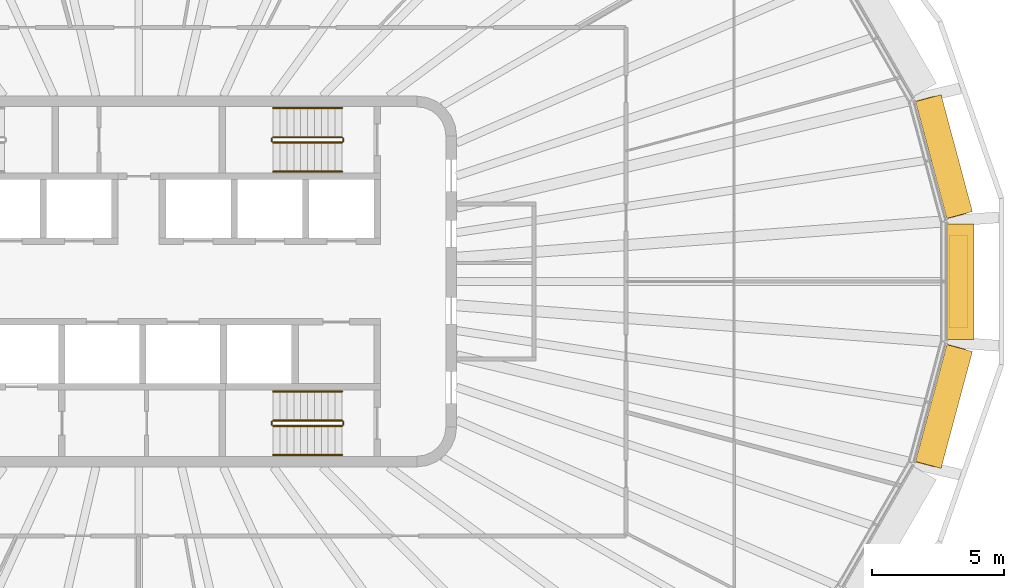
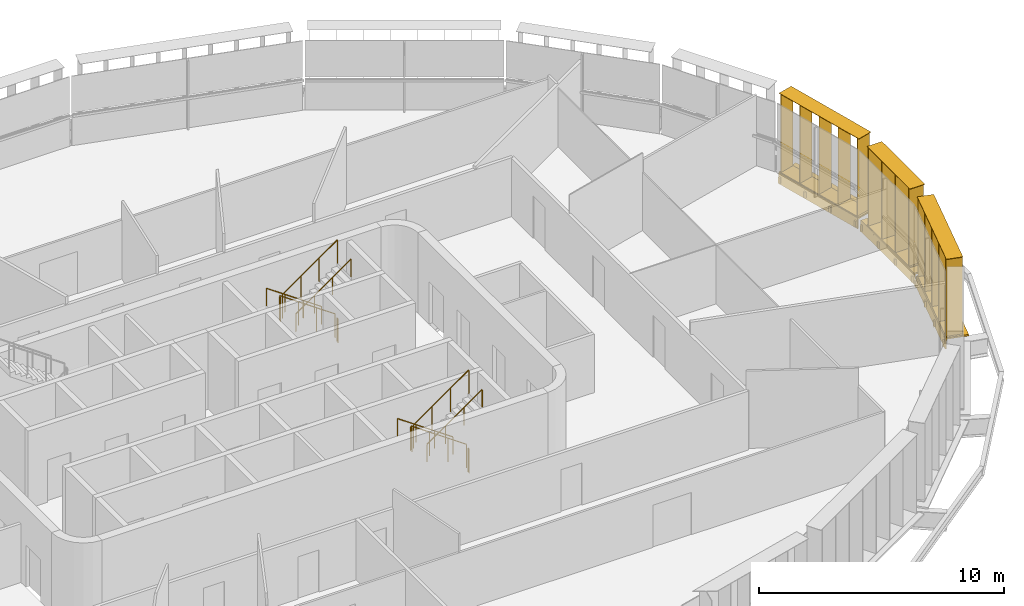
# One storey, part 19 of 20: 12 railings, 6 shading devices.
"""IFC4 building model written with IfcOpenShell, lengths in metres."""

from ifc_helpers import new_model, si_unit, direction, frame, origin, origin_2d, place, context, subcontext, project, spatial, rectangle, circle, extrude, material, type_object, element, save


model = new_model("IFC4")

# Units and contexts
model_context = context("Model", 3, precision=1e-05, world=origin(), true_north=direction((0.0, 1.0)))
body_context = subcontext(model_context, "Body", "Model", "MODEL_VIEW")
ifc_project = project(units=[si_unit("LENGTHUNIT", "METRE"), si_unit("AREAUNIT", "SQUARE_METRE"), si_unit("VOLUMEUNIT", "CUBIC_METRE"), si_unit("PLANEANGLEUNIT", "RADIAN"), si_unit("MASSUNIT", "GRAM", prefix="KILO")], contexts=[model_context])

# Site, building, storey
site_placement = place(None, origin())
site = spatial("IfcSite", under=ifc_project, at=site_placement, CompositionType="ELEMENT")
building_placement = place(site_placement, origin())
building = spatial("IfcBuilding", under=site, at=building_placement, Name="Sahrelin Media Tower", CompositionType="ELEMENT")
storey_placement = place(building_placement, frame((0.0, 0.0, 225.60009765625)))
storey = spatial("IfcBuildingStorey", under=building, at=storey_placement, Name="L48", CompositionType="ELEMENT", Elevation=225.60009765625)

# Shading devices
ifc_material_1 = material(Name="Champagne anodised aluminium 6063-T6", Category="aluminium")
shading_device_type_1 = type_object("IfcShadingDeviceType", Name="Fin cassette", PredefinedType="USERDEFINED", material=ifc_material_1)
placement_1 = place(storey_placement, frame((30.5185546875, 0.0, 0.0), z_axis=(0.0, 0.0, 1.0), x_axis=(0.0, -1.0, 0.0)))
element("IfcShadingDevice", 1, at=placement_1, inside=storey, type_object=shading_device_type_1, Name="L48:FIN:L48-00", ObjectType="FIN", PredefinedType="USERDEFINED", context=body_context, shape_type="SweptSolid", body=[
    extrude(rectangle(XDim=3.5, YDim=0.699951171875, at=origin_2d()), frame((0.0, 0.419921875, 0.0)), (0.0, 0.0, 1.0), 0.02001953125),
    extrude(rectangle(XDim=3.5, YDim=0.699951171875, at=origin_2d()), frame((0.0, 0.419921875, 3.89990234375)), (0.0, 0.0, 1.0), 0.02001953125),
    extrude(rectangle(XDim=0.02001953125, YDim=0.699951171875, at=origin_2d()), frame((-1.64990234375, 0.419921875, 0.010009765625), z_axis=(0.0, 0.0, 1.0), x_axis=(1.0, 0.0, 0.0)), (0.0, 0.0, 1.0), 3.89990234375),
    extrude(rectangle(XDim=0.02001953125, YDim=0.699951171875, at=origin_2d()), frame((-0.550048828125, 0.419921875, 0.010009765625), z_axis=(0.0, 0.0, 1.0), x_axis=(1.0, 0.0, 0.0)), (0.0, 0.0, 1.0), 3.89990234375),
    extrude(rectangle(XDim=0.02001953125, YDim=0.699951171875, at=origin_2d()), frame((0.550048828125, 0.419921875, 0.010009765625), z_axis=(0.0, 0.0, 1.0), x_axis=(1.0, 0.0, 0.0)), (0.0, 0.0, 1.0), 3.89990234375),
    extrude(rectangle(XDim=0.02001953125, YDim=0.699951171875, at=origin_2d()), frame((1.64990234375, 0.419921875, 0.010009765625), z_axis=(0.0, 0.0, 1.0), x_axis=(1.0, 0.0, 0.0)), (0.0, 0.0, 1.0), 3.89990234375),
])
placement_2 = place(storey_placement, frame((29.901611328125, 4.5830078125, 0.0), z_axis=(0.0, 0.0, 1.0), x_axis=(0.258807731996, -0.965928857556, 0.0)))
element("IfcShadingDevice", 2, at=placement_2, inside=storey, type_object=shading_device_type_1, Name="L48:FIN:L48-01", ObjectType="FIN", PredefinedType="USERDEFINED", context=body_context, shape_type="SweptSolid", body=[
    extrude(rectangle(XDim=4.60009765625, YDim=0.699951171875, at=origin_2d()), frame((0.0, 0.419921875, 0.0)), (0.0, 0.0, 1.0), 0.02001953125),
    extrude(rectangle(XDim=4.60009765625, YDim=0.699951171875, at=origin_2d()), frame((0.0, 0.419921875, 3.89990234375)), (0.0, 0.0, 1.0), 0.02001953125),
    extrude(rectangle(XDim=0.02001953125, YDim=0.699951171875, at=origin_2d()), frame((-2.199951171875, 0.419921875, 0.010009765625), z_axis=(0.0, 0.0, 1.0), x_axis=(1.0, 0.0, 0.0)), (0.0, 0.0, 1.0), 3.89990234375),
    extrude(rectangle(XDim=0.02001953125, YDim=0.699951171875, at=origin_2d()), frame((-1.10009765625, 0.419921875, 0.010009765625), z_axis=(0.0, 0.0, 1.0), x_axis=(1.0, 0.0, 0.0)), (0.0, 0.0, 1.0), 3.89990234375),
    extrude(rectangle(XDim=0.02001953125, YDim=0.699951171875, at=origin_2d()), frame((0.0, 0.419921875, 0.010009765625), z_axis=(0.0, 0.0, 1.0), x_axis=(1.0, 0.0, 0.0)), (0.0, 0.0, 1.0), 3.89990234375),
    extrude(rectangle(XDim=0.02001953125, YDim=0.699951171875, at=origin_2d()), frame((1.10009765625, 0.419921875, 0.010009765625), z_axis=(0.0, 0.0, 1.0), x_axis=(1.0, 0.0, 0.0)), (0.0, 0.0, 1.0), 3.89990234375),
    extrude(rectangle(XDim=0.02001953125, YDim=0.699951171875, at=origin_2d()), frame((2.199951171875, 0.419921875, 0.010009765625), z_axis=(0.0, 0.0, 1.0), x_axis=(1.0, 0.0, 0.0)), (0.0, 0.0, 1.0), 3.89990234375),
])
placement_3 = place(storey_placement, frame((29.901611328125, -4.5830078125, 0.0), z_axis=(0.0, 0.0, 1.0), x_axis=(-0.258807731996, -0.965928857556, 0.0)))
element("IfcShadingDevice", 3, at=placement_3, inside=storey, type_object=shading_device_type_1, Name="L48:FIN:L48-23", ObjectType="FIN", PredefinedType="USERDEFINED", context=body_context, shape_type="SweptSolid", body=[
    extrude(rectangle(XDim=4.60009765625, YDim=0.699951171875, at=origin_2d()), frame((0.0, 0.419921875, 0.0)), (0.0, 0.0, 1.0), 0.02001953125),
    extrude(rectangle(XDim=4.60009765625, YDim=0.699951171875, at=origin_2d()), frame((0.0, 0.419921875, 3.89990234375)), (0.0, 0.0, 1.0), 0.02001953125),
    extrude(rectangle(XDim=0.02001953125, YDim=0.699951171875, at=origin_2d()), frame((-2.199951171875, 0.419921875, 0.010009765625), z_axis=(0.0, 0.0, 1.0), x_axis=(1.0, 0.0, 0.0)), (0.0, 0.0, 1.0), 3.89990234375),
    extrude(rectangle(XDim=0.02001953125, YDim=0.699951171875, at=origin_2d()), frame((-1.10009765625, 0.419921875, 0.010009765625), z_axis=(0.0, 0.0, 1.0), x_axis=(1.0, 0.0, 0.0)), (0.0, 0.0, 1.0), 3.89990234375),
    extrude(rectangle(XDim=0.02001953125, YDim=0.699951171875, at=origin_2d()), frame((0.0, 0.419921875, 0.010009765625), z_axis=(0.0, 0.0, 1.0), x_axis=(1.0, 0.0, 0.0)), (0.0, 0.0, 1.0), 3.89990234375),
    extrude(rectangle(XDim=0.02001953125, YDim=0.699951171875, at=origin_2d()), frame((1.10009765625, 0.419921875, 0.010009765625), z_axis=(0.0, 0.0, 1.0), x_axis=(1.0, 0.0, 0.0)), (0.0, 0.0, 1.0), 3.89990234375),
    extrude(rectangle(XDim=0.02001953125, YDim=0.699951171875, at=origin_2d()), frame((2.199951171875, 0.419921875, 0.010009765625), z_axis=(0.0, 0.0, 1.0), x_axis=(1.0, 0.0, 0.0)), (0.0, 0.0, 1.0), 3.89990234375),
])

# Railings
ifc_material_2 = material(Name="Steel S355", Category="steel")
railing_type_1 = type_object("IfcRailingType", Name="Stair guard 1200", PredefinedType="GUARDRAIL", material=ifc_material_2)
railing_1_placement = place(storey_placement, frame((7.675048828125, 5.449951171875, 0.181640625)))
element("IfcRailing", 4, at=railing_1_placement, inside=storey, type_object=railing_type_1, Name="L48 ST3 stair guard 1", PredefinedType="GUARDRAIL", context=body_context, shape_type="SweptSolid", body=[
    extrude(circle(Radius=0.02392578125, at=origin_2d()), frame((0.0, 0.0, 1.17578125), z_axis=(-0.819484887739, 0.0, 0.573100792852), x_axis=(0.0, -1.0, 0.0)), (0.0, 0.0, 1.0), 3.1728515625),
    extrude(circle(Radius=0.02099609375, at=origin_2d()), origin(), (0.0, 0.0, 1.0), 1.15185546875),
    extrude(circle(Radius=0.02099609375, at=origin_2d()), frame((-0.86669921875, 0.0, 0.606201171875)), (0.0, 0.0, 1.0), 1.15185546875),
    extrude(circle(Radius=0.02099609375, at=origin_2d()), frame((-1.7333984375, 0.0, 1.212158203125)), (0.0, 0.0, 1.0), 1.15185546875),
    extrude(circle(Radius=0.02099609375, at=origin_2d()), frame((-2.60009765625, 0.0, 1.818359375)), (0.0, 0.0, 1.0), 1.15185546875),
])
railing_2_placement = place(storey_placement, frame((5.02490234375, 5.39990234375, 2.0)))
element("IfcRailing", 5, at=railing_2_placement, inside=storey, type_object=railing_type_1, Name="L48 ST3 stair guard 2", PredefinedType="GUARDRAIL", context=body_context, shape_type="SweptSolid", body=[
    extrude(circle(Radius=0.02392578125, at=origin_2d()), frame((0.0, 0.0, 1.17578125), z_axis=(0.0, -1.0, 0.0), x_axis=(1.0, 0.0, 0.0)), (0.0, 0.0, 1.0), 0.099853515625),
    extrude(circle(Radius=0.02099609375, at=origin_2d()), origin(), (0.0, 0.0, 1.0), 1.15185546875),
    extrude(circle(Radius=0.02099609375, at=origin_2d()), frame((0.0, -0.099853515625, 0.0)), (0.0, 0.0, 1.0), 1.15185546875),
])
railing_3_placement = place(storey_placement, frame((5.074951171875, 5.25, 2.181640625)))
element("IfcRailing", 6, at=railing_3_placement, inside=storey, type_object=railing_type_1, Name="L48 ST3 stair guard 3", PredefinedType="GUARDRAIL", context=body_context, shape_type="SweptSolid", body=[
    extrude(circle(Radius=0.02392578125, at=origin_2d()), frame((0.0, 0.0, 1.17578125), z_axis=(0.819484887739, 0.0, 0.573100792852), x_axis=(0.0, 1.0, 0.0)), (0.0, 0.0, 1.0), 3.1728515625),
    extrude(circle(Radius=0.02099609375, at=origin_2d()), origin(), (0.0, 0.0, 1.0), 1.15185546875),
    extrude(circle(Radius=0.02099609375, at=origin_2d()), frame((0.86669921875, 0.0, 0.606201171875)), (0.0, 0.0, 1.0), 1.15185546875),
    extrude(circle(Radius=0.02099609375, at=origin_2d()), frame((1.7333984375, 0.0, 1.212158203125)), (0.0, 0.0, 1.0), 1.15185546875),
    extrude(circle(Radius=0.02099609375, at=origin_2d()), frame((2.60009765625, 0.0, 1.818359375)), (0.0, 0.0, 1.0), 1.15185546875),
])
railing_4_placement = place(storey_placement, frame((7.72509765625, 5.39990234375, 0.0)))
element("IfcRailing", 7, at=railing_4_placement, inside=storey, type_object=railing_type_1, Name="L48 ST3 stair guard 4", PredefinedType="GUARDRAIL", context=body_context, shape_type="SweptSolid", body=[
    extrude(circle(Radius=0.02392578125, at=origin_2d()), frame((0.0, 0.0, 1.17578125), z_axis=(0.0, -1.0, 0.0), x_axis=(1.0, 0.0, 0.0)), (0.0, 0.0, 1.0), 0.099853515625),
    extrude(circle(Radius=0.02099609375, at=origin_2d()), origin(), (0.0, 0.0, 1.0), 1.15185546875),
    extrude(circle(Radius=0.02099609375, at=origin_2d()), frame((0.0, -0.099853515625, 0.0)), (0.0, 0.0, 1.0), 1.15185546875),
])
railing_5_placement = place(storey_placement, frame((7.675048828125, -5.25, 0.181640625)))
element("IfcRailing", 8, at=railing_5_placement, inside=storey, type_object=railing_type_1, Name="L48 ST2 stair guard 1", PredefinedType="GUARDRAIL", context=body_context, shape_type="SweptSolid", body=[
    extrude(circle(Radius=0.02392578125, at=origin_2d()), frame((0.0, 0.0, 1.17578125), z_axis=(-0.819484887739, 0.0, 0.573100792852), x_axis=(0.0, -1.0, 0.0)), (0.0, 0.0, 1.0), 3.1728515625),
    extrude(circle(Radius=0.02099609375, at=origin_2d()), origin(), (0.0, 0.0, 1.0), 1.15185546875),
    extrude(circle(Radius=0.02099609375, at=origin_2d()), frame((-0.86669921875, 0.0, 0.606201171875)), (0.0, 0.0, 1.0), 1.15185546875),
    extrude(circle(Radius=0.02099609375, at=origin_2d()), frame((-1.7333984375, 0.0, 1.212158203125)), (0.0, 0.0, 1.0), 1.15185546875),
    extrude(circle(Radius=0.02099609375, at=origin_2d()), frame((-2.60009765625, 0.0, 1.818359375)), (0.0, 0.0, 1.0), 1.15185546875),
])
railing_6_placement = place(storey_placement, frame((5.02490234375, -5.300048828125, 2.0)))
element("IfcRailing", 9, at=railing_6_placement, inside=storey, type_object=railing_type_1, Name="L48 ST2 stair guard 2", PredefinedType="GUARDRAIL", context=body_context, shape_type="SweptSolid", body=[
    extrude(circle(Radius=0.02392578125, at=origin_2d()), frame((0.0, 0.0, 1.17578125), z_axis=(0.0, -1.0, 0.0), x_axis=(1.0, 0.0, 0.0)), (0.0, 0.0, 1.0), 0.099853515625),
    extrude(circle(Radius=0.02099609375, at=origin_2d()), origin(), (0.0, 0.0, 1.0), 1.15185546875),
    extrude(circle(Radius=0.02099609375, at=origin_2d()), frame((0.0, -0.099853515625, 0.0)), (0.0, 0.0, 1.0), 1.15185546875),
])
railing_7_placement = place(storey_placement, frame((5.074951171875, -5.449951171875, 2.181640625)))
element("IfcRailing", 10, at=railing_7_placement, inside=storey, type_object=railing_type_1, Name="L48 ST2 stair guard 3", PredefinedType="GUARDRAIL", context=body_context, shape_type="SweptSolid", body=[
    extrude(circle(Radius=0.02392578125, at=origin_2d()), frame((0.0, 0.0, 1.17578125), z_axis=(0.819484887739, 0.0, 0.573100792852), x_axis=(0.0, 1.0, 0.0)), (0.0, 0.0, 1.0), 3.1728515625),
    extrude(circle(Radius=0.02099609375, at=origin_2d()), origin(), (0.0, 0.0, 1.0), 1.15185546875),
    extrude(circle(Radius=0.02099609375, at=origin_2d()), frame((0.86669921875, 0.0, 0.606201171875)), (0.0, 0.0, 1.0), 1.15185546875),
    extrude(circle(Radius=0.02099609375, at=origin_2d()), frame((1.7333984375, 0.0, 1.212158203125)), (0.0, 0.0, 1.0), 1.15185546875),
    extrude(circle(Radius=0.02099609375, at=origin_2d()), frame((2.60009765625, 0.0, 1.818359375)), (0.0, 0.0, 1.0), 1.15185546875),
])
railing_8_placement = place(storey_placement, frame((7.72509765625, -5.300048828125, 0.0)))
element("IfcRailing", 11, at=railing_8_placement, inside=storey, type_object=railing_type_1, Name="L48 ST2 stair guard 4", PredefinedType="GUARDRAIL", context=body_context, shape_type="SweptSolid", body=[
    extrude(circle(Radius=0.02392578125, at=origin_2d()), frame((0.0, 0.0, 1.17578125), z_axis=(0.0, -1.0, 0.0), x_axis=(1.0, 0.0, 0.0)), (0.0, 0.0, 1.0), 0.099853515625),
    extrude(circle(Radius=0.02099609375, at=origin_2d()), origin(), (0.0, 0.0, 1.0), 1.15185546875),
    extrude(circle(Radius=0.02099609375, at=origin_2d()), frame((0.0, -0.099853515625, 0.0)), (0.0, 0.0, 1.0), 1.15185546875),
])
railing_type_2 = type_object("IfcRailingType", Name="Stair handrail 900", PredefinedType="HANDRAIL", material=ifc_material_2)
railing_9_placement = place(storey_placement, frame((7.675048828125, 6.550048828125, 0.181640625)))
element("IfcRailing", 12, at=railing_9_placement, inside=storey, type_object=railing_type_2, Name="L48 ST3 stair handrail 1", PredefinedType="HANDRAIL", context=body_context, shape_type="SweptSolid", body=[
    extrude(circle(Radius=0.02392578125, at=origin_2d()), frame((0.0, 0.0, 0.8759765625), z_axis=(-0.819484887739, 0.0, 0.573100792852), x_axis=(0.0, -1.0, 0.0)), (0.0, 0.0, 1.0), 3.1728515625),
    extrude(circle(Radius=0.02099609375, at=origin_2d()), origin(), (0.0, 0.0, 1.0), 0.851806640625),
    extrude(circle(Radius=0.02099609375, at=origin_2d()), frame((-0.86669921875, 0.0, 0.606201171875)), (0.0, 0.0, 1.0), 0.851806640625),
    extrude(circle(Radius=0.02099609375, at=origin_2d()), frame((-1.7333984375, 0.0, 1.212158203125)), (0.0, 0.0, 1.0), 0.851806640625),
    extrude(circle(Radius=0.02099609375, at=origin_2d()), frame((-2.60009765625, 0.0, 1.818359375)), (0.0, 0.0, 1.0), 0.851806640625),
])
railing_10_placement = place(storey_placement, frame((5.074951171875, 4.14990234375, 2.181640625)))
element("IfcRailing", 13, at=railing_10_placement, inside=storey, type_object=railing_type_2, Name="L48 ST3 stair handrail 2", PredefinedType="HANDRAIL", context=body_context, shape_type="SweptSolid", body=[
    extrude(circle(Radius=0.02392578125, at=origin_2d()), frame((0.0, 0.0, 0.8759765625), z_axis=(0.819484887739, 0.0, 0.573100792852), x_axis=(0.0, 1.0, 0.0)), (0.0, 0.0, 1.0), 3.1728515625),
    extrude(circle(Radius=0.02099609375, at=origin_2d()), origin(), (0.0, 0.0, 1.0), 0.851806640625),
    extrude(circle(Radius=0.02099609375, at=origin_2d()), frame((0.86669921875, 0.0, 0.606201171875)), (0.0, 0.0, 1.0), 0.851806640625),
    extrude(circle(Radius=0.02099609375, at=origin_2d()), frame((1.7333984375, 0.0, 1.212158203125)), (0.0, 0.0, 1.0), 0.851806640625),
    extrude(circle(Radius=0.02099609375, at=origin_2d()), frame((2.60009765625, 0.0, 1.818359375)), (0.0, 0.0, 1.0), 0.851806640625),
])
railing_11_placement = place(storey_placement, frame((7.675048828125, -4.14990234375, 0.181640625)))
element("IfcRailing", 14, at=railing_11_placement, inside=storey, type_object=railing_type_2, Name="L48 ST2 stair handrail 1", PredefinedType="HANDRAIL", context=body_context, shape_type="SweptSolid", body=[
    extrude(circle(Radius=0.02392578125, at=origin_2d()), frame((0.0, 0.0, 0.8759765625), z_axis=(-0.819484887739, 0.0, 0.573100792852), x_axis=(0.0, -1.0, 0.0)), (0.0, 0.0, 1.0), 3.1728515625),
    extrude(circle(Radius=0.02099609375, at=origin_2d()), origin(), (0.0, 0.0, 1.0), 0.851806640625),
    extrude(circle(Radius=0.02099609375, at=origin_2d()), frame((-0.86669921875, 0.0, 0.606201171875)), (0.0, 0.0, 1.0), 0.851806640625),
    extrude(circle(Radius=0.02099609375, at=origin_2d()), frame((-1.7333984375, 0.0, 1.212158203125)), (0.0, 0.0, 1.0), 0.851806640625),
    extrude(circle(Radius=0.02099609375, at=origin_2d()), frame((-2.60009765625, 0.0, 1.818359375)), (0.0, 0.0, 1.0), 0.851806640625),
])
railing_12_placement = place(storey_placement, frame((5.074951171875, -6.550048828125, 2.181640625)))
element("IfcRailing", 15, at=railing_12_placement, inside=storey, type_object=railing_type_2, Name="L48 ST2 stair handrail 2", PredefinedType="HANDRAIL", context=body_context, shape_type="SweptSolid", body=[
    extrude(circle(Radius=0.02392578125, at=origin_2d()), frame((0.0, 0.0, 0.8759765625), z_axis=(0.819484887739, 0.0, 0.573100792852), x_axis=(0.0, 1.0, 0.0)), (0.0, 0.0, 1.0), 3.1728515625),
    extrude(circle(Radius=0.02099609375, at=origin_2d()), origin(), (0.0, 0.0, 1.0), 0.851806640625),
    extrude(circle(Radius=0.02099609375, at=origin_2d()), frame((0.86669921875, 0.0, 0.606201171875)), (0.0, 0.0, 1.0), 0.851806640625),
    extrude(circle(Radius=0.02099609375, at=origin_2d()), frame((1.7333984375, 0.0, 1.212158203125)), (0.0, 0.0, 1.0), 0.851806640625),
    extrude(circle(Radius=0.02099609375, at=origin_2d()), frame((2.60009765625, 0.0, 1.818359375)), (0.0, 0.0, 1.0), 0.851806640625),
])

# Shading devices
shading_device_type_2 = type_object("IfcShadingDeviceType", Name="Sunshade band", PredefinedType="USERDEFINED", material=ifc_material_1)
element("IfcShadingDevice", 16, at=placement_1, inside=storey, type_object=shading_device_type_2, Name="L48:SUN:L48-00", ObjectType="SUNSHADE", PredefinedType="USERDEFINED", context=body_context, shape_type="SweptSolid", body=[
    extrude(rectangle(XDim=4.35986328125, YDim=0.050048828125, at=origin_2d()), frame((0.0, 0.044921875, -0.55126953125)), (0.0, 0.0, 1.0), 0.471435546875),
    extrude(rectangle(XDim=4.35986328125, YDim=1.0, at=origin_2d()), frame((0.0, 0.52001953125, -0.080078125)), (0.0, 0.0, 1.0), 0.080078125),
    extrude(rectangle(XDim=0.10009765625, YDim=0.074951171875, at=origin_2d()), frame((-2.079833984375, -0.017578125, -0.47021484375)), (0.0, 0.0, 1.0), 0.300048828125),
    extrude(rectangle(XDim=0.10009765625, YDim=0.074951171875, at=origin_2d()), frame((-0.693359375, -0.017578125, -0.47021484375)), (0.0, 0.0, 1.0), 0.300048828125),
    extrude(rectangle(XDim=0.10009765625, YDim=0.074951171875, at=origin_2d()), frame((0.693359375, -0.017578125, -0.47021484375)), (0.0, 0.0, 1.0), 0.300048828125),
    extrude(rectangle(XDim=0.10009765625, YDim=0.074951171875, at=origin_2d()), frame((2.079833984375, -0.017578125, -0.47021484375)), (0.0, 0.0, 1.0), 0.300048828125),
])
element("IfcShadingDevice", 17, at=placement_2, inside=storey, type_object=shading_device_type_2, Name="L48:SUN:L48-01", ObjectType="SUNSHADE", PredefinedType="USERDEFINED", context=body_context, shape_type="SweptSolid", body=[
    extrude(rectangle(XDim=4.568603515625, YDim=0.050048828125, at=origin_2d()), frame((0.0, 0.044921875, -0.55126953125)), (0.0, 0.0, 1.0), 0.471435546875),
    extrude(rectangle(XDim=4.568603515625, YDim=1.0, at=origin_2d()), frame((0.0, 0.52001953125, -0.080078125)), (0.0, 0.0, 1.0), 0.080078125),
    extrude(rectangle(XDim=0.10009765625, YDim=0.074951171875, at=origin_2d()), frame((-2.184326171875, -0.017578125, -0.47021484375)), (0.0, 0.0, 1.0), 0.300048828125),
    extrude(rectangle(XDim=0.10009765625, YDim=0.074951171875, at=origin_2d()), frame((-0.72802734375, -0.017578125, -0.47021484375)), (0.0, 0.0, 1.0), 0.300048828125),
    extrude(rectangle(XDim=0.10009765625, YDim=0.074951171875, at=origin_2d()), frame((0.72802734375, -0.017578125, -0.47021484375)), (0.0, 0.0, 1.0), 0.300048828125),
    extrude(rectangle(XDim=0.10009765625, YDim=0.074951171875, at=origin_2d()), frame((2.184326171875, -0.017578125, -0.47021484375)), (0.0, 0.0, 1.0), 0.300048828125),
])
element("IfcShadingDevice", 18, at=placement_3, inside=storey, type_object=shading_device_type_2, Name="L48:SUN:L48-23", ObjectType="SUNSHADE", PredefinedType="USERDEFINED", context=body_context, shape_type="SweptSolid", body=[
    extrude(rectangle(XDim=4.568603515625, YDim=0.050048828125, at=origin_2d()), frame((0.0, 0.044921875, -0.55126953125)), (0.0, 0.0, 1.0), 0.471435546875),
    extrude(rectangle(XDim=4.568603515625, YDim=1.0, at=origin_2d()), frame((0.0, 0.52001953125, -0.080078125)), (0.0, 0.0, 1.0), 0.080078125),
    extrude(rectangle(XDim=0.10009765625, YDim=0.074951171875, at=origin_2d()), frame((-2.184326171875, -0.017578125, -0.47021484375)), (0.0, 0.0, 1.0), 0.300048828125),
    extrude(rectangle(XDim=0.10009765625, YDim=0.074951171875, at=origin_2d()), frame((-0.72802734375, -0.017578125, -0.47021484375)), (0.0, 0.0, 1.0), 0.300048828125),
    extrude(rectangle(XDim=0.10009765625, YDim=0.074951171875, at=origin_2d()), frame((0.72802734375, -0.017578125, -0.47021484375)), (0.0, 0.0, 1.0), 0.300048828125),
    extrude(rectangle(XDim=0.10009765625, YDim=0.074951171875, at=origin_2d()), frame((2.184326171875, -0.017578125, -0.47021484375)), (0.0, 0.0, 1.0), 0.300048828125),
])

save(model, "model.ifc")
